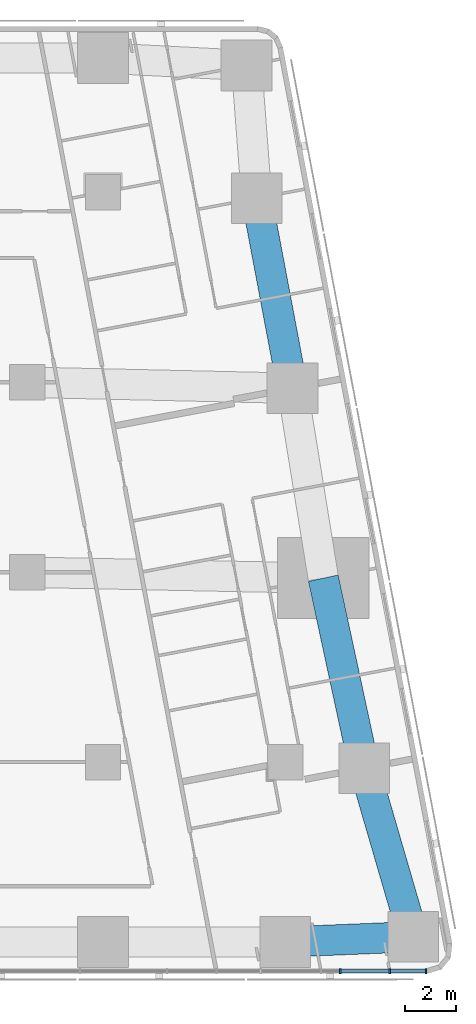
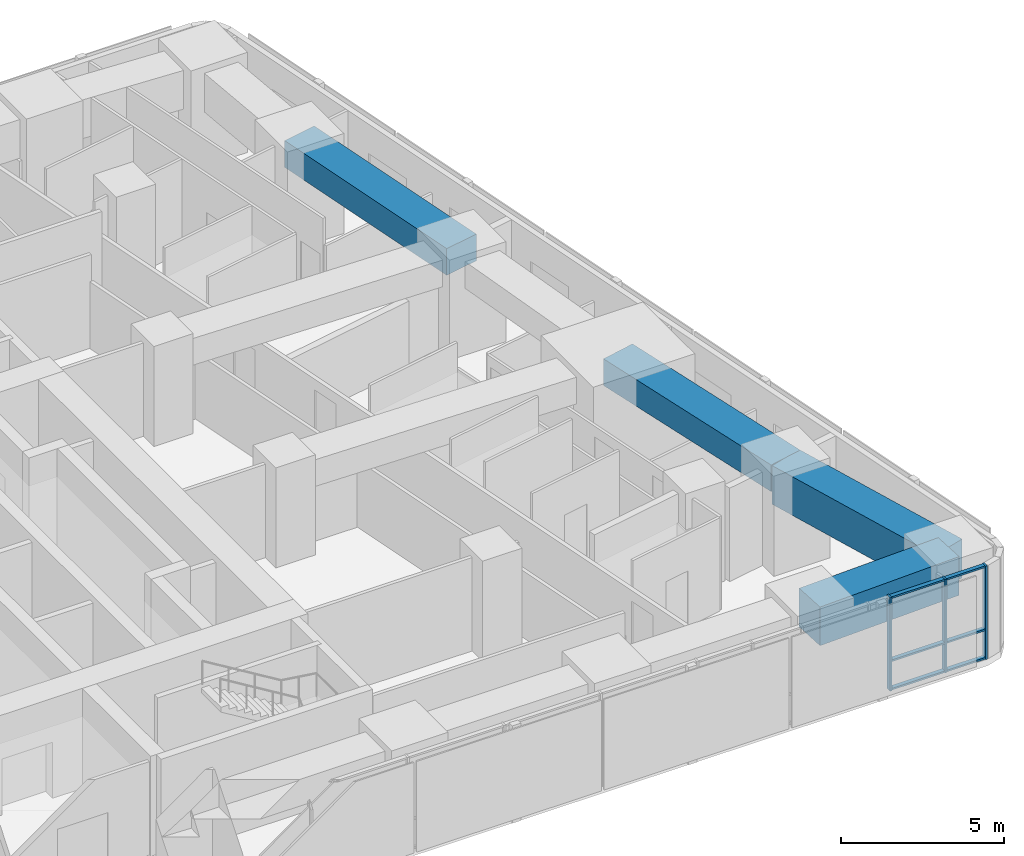
# One storey, part 3 of 11: 9 members, 4 beams, 1 element without a shape of its own.
"""IFC4 building model written with IfcOpenShell, lengths in metres."""

from ifc_helpers import new_model, si_unit, direction, frame, origin, origin_2d, place, context, subcontext, project, spatial, rectangle, extrude, material, material_profile, profile_set, type_object, element, aggregate, save


model = new_model("IFC4")

# Units and contexts
model_context = context("Model", 3, precision=1e-05, world=origin(), true_north=direction((0.0, 1.0)))
body_context = subcontext(model_context, "Body", "Model", "MODEL_VIEW")
ifc_project = project(units=[si_unit("LENGTHUNIT", "METRE"), si_unit("AREAUNIT", "SQUARE_METRE"), si_unit("VOLUMEUNIT", "CUBIC_METRE"), si_unit("PLANEANGLEUNIT", "RADIAN"), si_unit("MASSUNIT", "GRAM", prefix="KILO")], contexts=[model_context])

# Site, building, storey
site_placement = place(None, origin())
site = spatial("IfcSite", under=ifc_project, at=site_placement, CompositionType="ELEMENT")
building_placement = place(site_placement, origin())
building = spatial("IfcBuilding", under=site, at=building_placement, Name="Sheger Commons Tower", CompositionType="ELEMENT")
storey_placement = place(building_placement, frame((0.0, 0.0, 281.60009765625)))
storey = spatial("IfcBuildingStorey", under=building, at=storey_placement, Name="L72", CompositionType="ELEMENT", Elevation=281.60009765625)

# Curtain wall, members
ifc_material_1 = material(Name="Black aluminium curtain wall, dark tinted glazing", Category="aluminium")
curtain_wall_type = type_object("IfcCurtainWallType", Name="CURTAIN WALL CW5 SOUTH GALLERY", PredefinedType="USERDEFINED", material=ifc_material_1)
curtain_wall_placement = place(storey_placement, origin())
curtain_wall = element("IfcCurtainWall", 1, at=curtain_wall_placement, inside=storey, type_object=curtain_wall_type, Name="Curtain Wall Cw5 South Gallery S1 L72", ObjectType="UNITISED CURTAIN WALL", PredefinedType="USERDEFINED")
ifc_material_2 = material(Name="Black anodised aluminium", Category="aluminium")
ifc_material_profile_1 = material_profile(ifc_material_2, rectangle(XDim=0.199951171875, YDim=0.06494140625, at=origin_2d()), Name="AL 65x200")
ifc_profile_set_1 = profile_set([ifc_material_profile_1], Name="Black anodised aluminium")
member_type_1 = type_object("IfcMemberType", Name="MULLION AL 65x200", PredefinedType="MULLION", material=ifc_profile_set_1)
member_1_placement = place(storey_placement, frame((45.364990234375, 6.75, 0.0), z_axis=(0.0, 0.0, 1.0), x_axis=(0.0, 1.0, 0.0)))
member_1 = element("IfcMember", 2, at=member_1_placement, type_object=member_type_1, Name="CW5 mullion 12", PredefinedType="MULLION", context=body_context, shape_type="SweptSolid", body=[
    extrude(rectangle(XDim=0.199951171875, YDim=0.06494140625, at=origin_2d()), origin(), (0.0, 0.0, 1.0), 3.5),
])
member_2_placement = place(storey_placement, frame((47.319091796875, 6.75, 0.0), z_axis=(0.0, 0.0, 1.0), x_axis=(0.0, 1.0, 0.0)))
member_2 = element("IfcMember", 3, at=member_2_placement, type_object=member_type_1, Name="CW5 mullion 13", PredefinedType="MULLION", context=body_context, shape_type="SweptSolid", body=[
    extrude(rectangle(XDim=0.199951171875, YDim=0.06494140625, at=origin_2d()), origin(), (0.0, 0.0, 1.0), 3.5),
])
member_3_placement = place(storey_placement, frame((48.75439453125, 6.75, 0.0), z_axis=(0.0, 0.0, 1.0), x_axis=(0.0, 1.0, 0.0)))
member_3 = element("IfcMember", 4, at=member_3_placement, type_object=member_type_1, Name="CW5 mullion 14", PredefinedType="MULLION", context=body_context, shape_type="SweptSolid", body=[
    extrude(rectangle(XDim=0.199951171875, YDim=0.06494140625, at=origin_2d()), origin(), (0.0, 0.0, 1.0), 3.5),
])

# Beams
ifc_material_3 = material(Name="Concrete C50/60", Category="concrete")
ifc_material_profile_2 = material_profile(ifc_material_3, rectangle(XDim=1.199951171875, YDim=1.0, at=origin_2d()), Name="RC 1200x1000")
ifc_profile_set_2 = profile_set([ifc_material_profile_2], Name="Concrete C50/60")
beam_type_1 = type_object("IfcBeamType", Name="SPANDREL RC 1200x1000", PredefinedType="SPANDREL", material=ifc_profile_set_2)
beam_1_placement = place(storey_placement, frame((46.31396484375, 14.762939453125, 3.0), z_axis=(-0.210750229323, 0.977539943348, 0.0), x_axis=(-0.977539943348, -0.210750229323, 0.0)))
element("IfcBeam", 5, at=beam_1_placement, inside=storey, type_object=beam_type_1, Name="Beam E/C-E/D under L73", PredefinedType="SPANDREL", context=body_context, shape_type="SweptSolid", body=[
    extrude(rectangle(XDim=1.199951171875, YDim=1.0, at=origin_2d()), origin(), (0.0, 0.0, 1.0), 7.67236328125),
])
beam_2_placement = place(storey_placement, frame((43.47998046875, 29.762939453125, 3.0), z_axis=(-0.18552441405, 0.982639655108, 0.0), x_axis=(-0.982639655108, -0.18552441405, 0.0)))
element("IfcBeam", 6, at=beam_2_placement, inside=storey, type_object=beam_type_1, Name="Beam E/E-E/F under L73", PredefinedType="SPANDREL", context=body_context, shape_type="SweptSolid", body=[
    extrude(rectangle(XDim=1.199951171875, YDim=1.0, at=origin_2d()), origin(), (0.0, 0.0, 1.0), 7.632568359375),
])
ifc_material_4 = material(Name="Concrete C50/60", Category="concrete")
ifc_material_profile_3 = material_profile(ifc_material_4, rectangle(XDim=1.199951171875, YDim=1.449951171875, at=origin_2d()), Name="RC 1200x1450")
ifc_profile_set_3 = profile_set([ifc_material_profile_3], Name="Concrete C50/60")
beam_type_2 = type_object("IfcBeamType", Name="SPANDREL RC 1200x1450", PredefinedType="SPANDREL", material=ifc_profile_set_3)
beam_3_placement = place(storey_placement, frame((43.199951171875, 7.89990234375, 2.77490234375), z_axis=(0.999161374218, 0.040945674641, 0.0), x_axis=(-0.040945674641, 0.999161374218, 0.0)))
element("IfcBeam", 7, at=beam_3_placement, inside=storey, type_object=beam_type_2, Name="Beam 7/B-E/B under L73", PredefinedType="SPANDREL", context=body_context, shape_type="SweptSolid", body=[
    extrude(rectangle(XDim=1.199951171875, YDim=1.449951171875, at=origin_2d()), origin(), (0.0, 0.0, 1.0), 5.05615234375),
])
beam_4_placement = place(storey_placement, frame((48.251953125, 8.10693359375, 2.77490234375), z_axis=(-0.279555048455, 0.960129665662, 0.0), x_axis=(-0.960129665662, -0.279555048455, 0.0)))
element("IfcBeam", 8, at=beam_4_placement, inside=storey, type_object=beam_type_2, Name="Beam E/B-E/C under L73", PredefinedType="SPANDREL", context=body_context, shape_type="SweptSolid", body=[
    extrude(rectangle(XDim=1.199951171875, YDim=1.449951171875, at=origin_2d()), origin(), (0.0, 0.0, 1.0), 6.932373046875),
])

# Member
ifc_material_5 = material(Name="Black anodised aluminium", Category="aluminium")
ifc_material_profile_4 = material_profile(ifc_material_5, rectangle(XDim=0.14990234375, YDim=0.06494140625, at=origin_2d()), Name="AL 65x150")
ifc_profile_set_4 = profile_set([ifc_material_profile_4], Name="Black anodised aluminium")
member_type_2 = type_object("IfcMemberType", Name="TRANSOM AL 65x150", PredefinedType="USERDEFINED", material=ifc_profile_set_4)
member_4_placement = place(storey_placement, frame((45.3974609375, 6.75, 0.032470703125), z_axis=(1.0, 0.0, 0.0), x_axis=(0.0, 1.0, 0.0)))
member_4 = element("IfcMember", 9, at=member_4_placement, type_object=member_type_2, Name="CW5 transom 12.1", ObjectType="TRANSOM", PredefinedType="USERDEFINED", context=body_context, shape_type="SweptSolid", body=[
    extrude(rectangle(XDim=0.14990234375, YDim=0.06494140625, at=origin_2d()), origin(), (0.0, 0.0, 1.0), 1.88916015625),
])

member_5_placement = place(storey_placement, frame((45.3974609375, 6.75, 1.099853515625), z_axis=(1.0, 0.0, 0.0), x_axis=(0.0, 1.0, 0.0)))
member_5 = element("IfcMember", 10, at=member_5_placement, type_object=member_type_2, Name="CW5 transom 12.2", ObjectType="TRANSOM", PredefinedType="USERDEFINED", context=body_context, shape_type="SweptSolid", body=[
    extrude(rectangle(XDim=0.14990234375, YDim=0.06494140625, at=origin_2d()), origin(), (0.0, 0.0, 1.0), 1.88916015625),
])

member_6_placement = place(storey_placement, frame((45.3974609375, 6.75, 3.46728515625), z_axis=(1.0, 0.0, 0.0), x_axis=(0.0, 1.0, 0.0)))
member_6 = element("IfcMember", 11, at=member_6_placement, type_object=member_type_2, Name="CW5 transom 12.3", ObjectType="TRANSOM", PredefinedType="USERDEFINED", context=body_context, shape_type="SweptSolid", body=[
    extrude(rectangle(XDim=0.14990234375, YDim=0.06494140625, at=origin_2d()), origin(), (0.0, 0.0, 1.0), 1.88916015625),
])

member_7_placement = place(storey_placement, frame((47.3515625, 6.75, 0.032470703125), z_axis=(1.0, 0.0, 0.0), x_axis=(0.0, 1.0, 0.0)))
member_7 = element("IfcMember", 12, at=member_7_placement, type_object=member_type_2, Name="CW5 transom 13.1", ObjectType="TRANSOM", PredefinedType="USERDEFINED", context=body_context, shape_type="SweptSolid", body=[
    extrude(rectangle(XDim=0.14990234375, YDim=0.06494140625, at=origin_2d()), origin(), (0.0, 0.0, 1.0), 1.370361328125),
])

member_8_placement = place(storey_placement, frame((47.3515625, 6.75, 1.099853515625), z_axis=(1.0, 0.0, 0.0), x_axis=(0.0, 1.0, 0.0)))
member_8 = element("IfcMember", 13, at=member_8_placement, type_object=member_type_2, Name="CW5 transom 13.2", ObjectType="TRANSOM", PredefinedType="USERDEFINED", context=body_context, shape_type="SweptSolid", body=[
    extrude(rectangle(XDim=0.14990234375, YDim=0.06494140625, at=origin_2d()), origin(), (0.0, 0.0, 1.0), 1.370361328125),
])

member_9_placement = place(storey_placement, frame((47.3515625, 6.75, 3.46728515625), z_axis=(1.0, 0.0, 0.0), x_axis=(0.0, 1.0, 0.0)))
member_9 = element("IfcMember", 14, at=member_9_placement, type_object=member_type_2, Name="CW5 transom 13.3", ObjectType="TRANSOM", PredefinedType="USERDEFINED", context=body_context, shape_type="SweptSolid", body=[
    extrude(rectangle(XDim=0.14990234375, YDim=0.06494140625, at=origin_2d()), origin(), (0.0, 0.0, 1.0), 1.370361328125),
])

aggregate(curtain_wall, [member_1, member_2, member_3, member_4, member_5, member_6, member_7, member_8, member_9])

save(model, "model.ifc")
